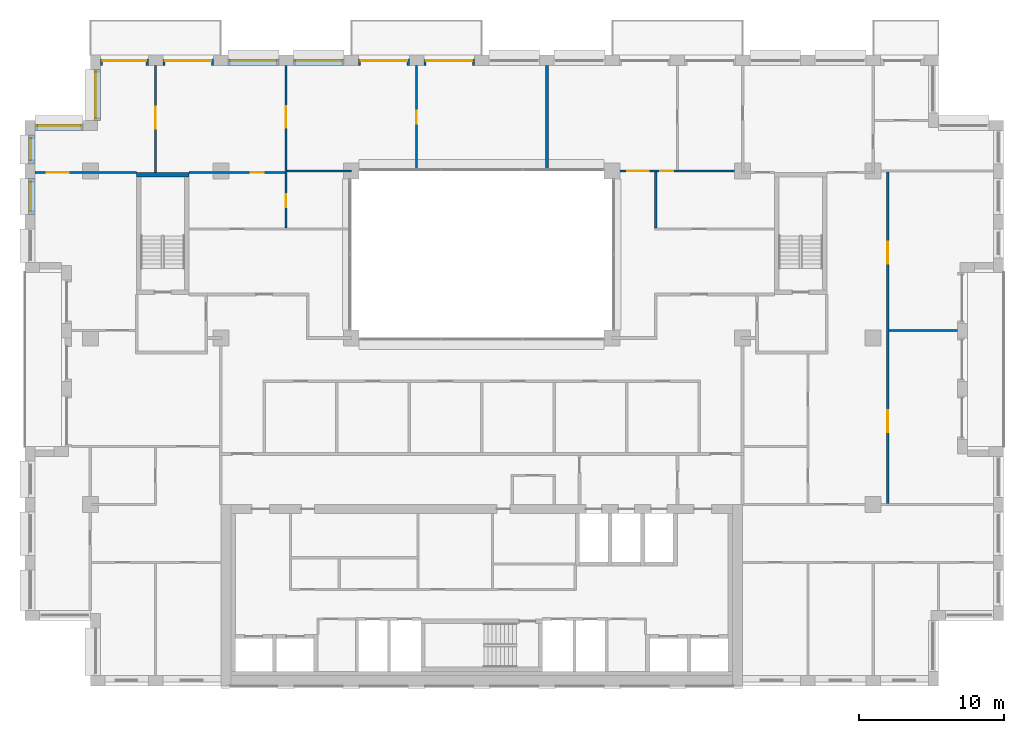
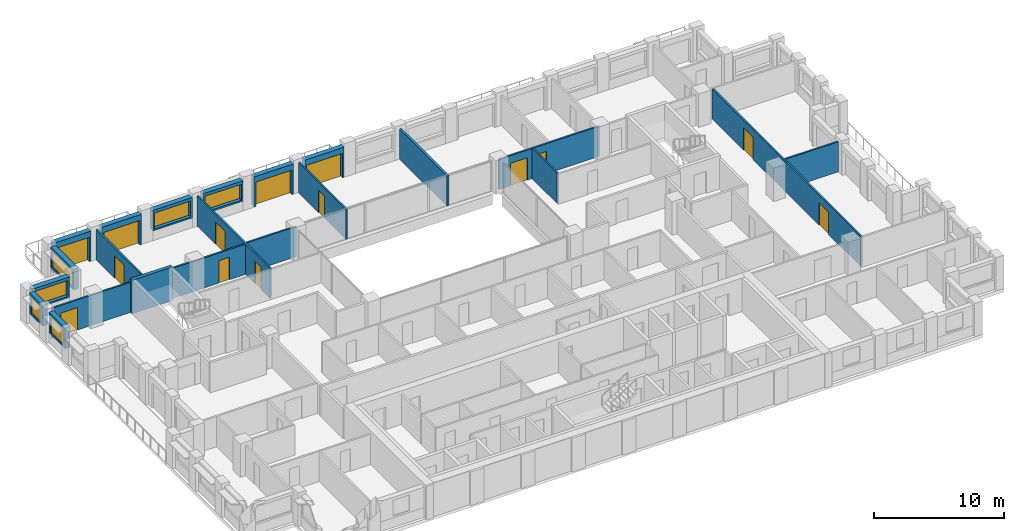
# One storey, part 12 of 15: 22 walls, 14 doors, 6 windows, 20 openings.
"""IFC4 building model written with IfcOpenShell, lengths in metres."""

from ifc_helpers import new_model, si_unit, direction, frame, frame_2d, origin, place, context, subcontext, project, spatial, rectangle, extrude, material, layer, layer_set, type_object, element, fill, save


model = new_model("IFC4")

# Units and contexts
model_context = context("Model", 3, precision=1e-05, world=origin(), true_north=direction((0.0, 1.0)))
body_context = subcontext(model_context, "Body", "Model", "MODEL_VIEW")
ifc_project = project(units=[si_unit("LENGTHUNIT", "METRE"), si_unit("AREAUNIT", "SQUARE_METRE"), si_unit("VOLUMEUNIT", "CUBIC_METRE"), si_unit("PLANEANGLEUNIT", "RADIAN"), si_unit("MASSUNIT", "GRAM", prefix="KILO")], contexts=[model_context])

# Site, building, storey
site_placement = place(None, origin())
site = spatial("IfcSite", under=ifc_project, at=site_placement, CompositionType="ELEMENT")
building_placement = place(site_placement, origin())
building = spatial("IfcBuilding", under=site, at=building_placement, Name="Brigalow Station Residences", CompositionType="ELEMENT")
storey_placement = place(building_placement, frame((0.0, 0.0, 150.75)))
storey = spatial("IfcBuildingStorey", under=building, at=storey_placement, Name="L43", CompositionType="ELEMENT", Elevation=150.75)

# Wall, opening, door
ifc_material_1 = material(Name="Clay brick masonry", Category="masonry")
ifc_layer_1 = layer(ifc_material_1, 0.449951171875)
ifc_layer_set_1 = layer_set([ifc_layer_1], Name="BRICK INFILL WALL 450")
wall_type_1 = type_object("IfcWallType", Name="BRICK INFILL WALL 450", PredefinedType="SOLIDWALL", material=ifc_layer_set_1)
wall_1_placement = place(storey_placement, frame((35.5, 43.02490234375, 0.0), z_axis=(0.0, 0.0, 1.0), x_axis=(-1.0, 0.0, 0.0)))
wall_1 = element("IfcWall", 1, at=wall_1_placement, inside=storey, type_object=wall_type_1, Name="L43/ewall/W-L43-29", PredefinedType="SOLIDWALL", context=body_context, shape_type="SweptSolid", body=[
    extrude(rectangle(XDim=3.5, YDim=0.449951171875, at=frame_2d((1.75, 0.0))), origin(), (0.0, 0.0, 1.0), 2.830078125),
])
opening_1_placement = place(wall_1_placement, frame((0.14990234375, 0.0, 0.0)))
opening_1 = element("IfcOpeningElement", 2, at=opening_1_placement, cuts=wall_1, Name="Opening D-B3200", PredefinedType="OPENING", context=body_context, shape_type="SweptSolid", body=[
    extrude(rectangle(XDim=3.199951171875, YDim=2.300048828125, at=frame_2d((1.60009765625, 1.14990234375))), frame((0.0, 0.23486328125, 0.0), z_axis=(0.0, -1.0, 0.0), x_axis=(1.0, 0.0, 0.0)), (0.0, 0.0, 1.0), 0.469970703125),
])
ifc_material_2 = material(Name="Anodised aluminium frame with double glazing", Category="aluminium")
door_type_1 = type_object("IfcDoorType", Name="BALCONY SLIDING DOOR 3200x2300", OperationType="SLIDING_TO_LEFT", PredefinedType="DOOR", material=ifc_material_2)
door_1_placement = place(opening_1_placement, origin())
door_1 = element("IfcDoor", 3, at=door_1_placement, inside=storey, type_object=door_type_1, Name="L43/balcony-door/W-L43-29", OperationType="SLIDING_TO_LEFT", OverallHeight=2.300048828125, OverallWidth=3.199951171875, PredefinedType="DOOR", context=body_context, shape_type="SweptSolid", body=[
    extrude(rectangle(XDim=3.199951171875, YDim=2.300048828125, at=frame_2d((1.60009765625, 1.14990234375))), frame((0.0, -0.06982421875, 0.0), z_axis=(0.0, -1.0, 0.0), x_axis=(1.0, 0.0, 0.0)), (0.0, 0.0, 1.0), 0.050048828125),
])
fill(opening_1, door_1)

wall_2_placement = place(storey_placement, frame((31.0, 43.02490234375, 0.0), z_axis=(0.0, 0.0, 1.0), x_axis=(-1.0, 0.0, 0.0)))
wall_2 = element("IfcWall", 4, at=wall_2_placement, inside=storey, type_object=wall_type_1, Name="L43/ewall/W-L43-30", PredefinedType="SOLIDWALL", context=body_context, shape_type="SweptSolid", body=[
    extrude(rectangle(XDim=3.5, YDim=0.449951171875, at=frame_2d((1.75, 0.0))), origin(), (0.0, 0.0, 1.0), 2.830078125),
])
opening_2_placement = place(wall_2_placement, frame((0.14990234375, 0.0, 0.0)))
opening_2 = element("IfcOpeningElement", 5, at=opening_2_placement, cuts=wall_2, Name="Opening D-B3200", PredefinedType="OPENING", context=body_context, shape_type="SweptSolid", body=[
    extrude(rectangle(XDim=3.199951171875, YDim=2.300048828125, at=frame_2d((1.60009765625, 1.14990234375))), frame((0.0, 0.23486328125, 0.0), z_axis=(0.0, -1.0, 0.0), x_axis=(1.0, 0.0, 0.0)), (0.0, 0.0, 1.0), 0.469970703125),
])
door_2_placement = place(opening_2_placement, origin())
door_2 = element("IfcDoor", 6, at=door_2_placement, inside=storey, type_object=door_type_1, Name="L43/balcony-door/W-L43-30", OperationType="SLIDING_TO_LEFT", OverallHeight=2.300048828125, OverallWidth=3.199951171875, PredefinedType="DOOR", context=body_context, shape_type="SweptSolid", body=[
    extrude(rectangle(XDim=3.199951171875, YDim=2.300048828125, at=frame_2d((1.60009765625, 1.14990234375))), frame((0.0, -0.06982421875, 0.0), z_axis=(0.0, -1.0, 0.0), x_axis=(1.0, 0.0, 0.0)), (0.0, 0.0, 1.0), 0.050048828125),
])
fill(opening_2, door_2)

# Wall, opening, window
wall_3_placement = place(storey_placement, frame((26.5, 43.02490234375, 0.89990234375), z_axis=(0.0, 0.0, 1.0), x_axis=(-1.0, 0.0, 0.0)))
wall_3 = element("IfcWall", 7, at=wall_3_placement, inside=storey, type_object=wall_type_1, Name="L43/ewall/W-L43-31", PredefinedType="SOLIDWALL", context=body_context, shape_type="SweptSolid", body=[
    extrude(rectangle(XDim=3.5, YDim=0.449951171875, at=frame_2d((1.75, 0.0))), origin(), (0.0, 0.0, 1.0), 1.93017578125),
])
opening_3_placement = place(wall_3_placement, frame((0.14990234375, 0.0, 0.14990234375)))
opening_3 = element("IfcOpeningElement", 8, at=opening_3_placement, cuts=wall_3, Name="Opening WT-9", PredefinedType="OPENING", context=body_context, shape_type="SweptSolid", body=[
    extrude(rectangle(XDim=3.199951171875, YDim=1.5, at=frame_2d((1.60009765625, 0.75))), frame((0.0, 0.23486328125, 0.0), z_axis=(0.0, -1.0, 0.0), x_axis=(1.0, 0.0, 0.0)), (0.0, 0.0, 1.0), 0.469970703125),
])
ifc_material_3 = material(Name="Anodised aluminium frame with double glazing", Category="aluminium")
window_type_1 = type_object("IfcWindowType", Name="WINDOW 3200x1500", PartitioningType="SINGLE_PANEL", PredefinedType="WINDOW", material=ifc_material_3)
window_1_placement = place(opening_3_placement, origin())
window_1 = element("IfcWindow", 9, at=window_1_placement, inside=storey, type_object=window_type_1, Name="L43/window/W-L43-31", OverallHeight=1.5, OverallWidth=3.199951171875, PartitioningType="SINGLE_PANEL", PredefinedType="WINDOW", context=body_context, shape_type="SweptSolid", body=[
    extrude(rectangle(XDim=3.199951171875, YDim=1.5, at=frame_2d((1.60009765625, 0.75))), frame((0.0, -0.06494140625, 0.0), z_axis=(0.0, -1.0, 0.0), x_axis=(1.0, 0.0, 0.0)), (0.0, 0.0, 1.0), 0.06005859375),
])
fill(opening_3, window_1)

wall_4_placement = place(storey_placement, frame((22.0, 43.02490234375, 0.89990234375), z_axis=(0.0, 0.0, 1.0), x_axis=(-1.0, 0.0, 0.0)))
wall_4 = element("IfcWall", 10, at=wall_4_placement, inside=storey, type_object=wall_type_1, Name="L43/ewall/W-L43-32", PredefinedType="SOLIDWALL", context=body_context, shape_type="SweptSolid", body=[
    extrude(rectangle(XDim=3.5, YDim=0.449951171875, at=frame_2d((1.75, 0.0))), origin(), (0.0, 0.0, 1.0), 1.93017578125),
])
opening_4_placement = place(wall_4_placement, frame((0.14990234375, 0.0, 0.14990234375)))
opening_4 = element("IfcOpeningElement", 11, at=opening_4_placement, cuts=wall_4, Name="Opening WT-9", PredefinedType="OPENING", context=body_context, shape_type="SweptSolid", body=[
    extrude(rectangle(XDim=3.199951171875, YDim=1.5, at=frame_2d((1.60009765625, 0.75))), frame((0.0, 0.23486328125, 0.0), z_axis=(0.0, -1.0, 0.0), x_axis=(1.0, 0.0, 0.0)), (0.0, 0.0, 1.0), 0.469970703125),
])
window_2_placement = place(opening_4_placement, origin())
window_2 = element("IfcWindow", 12, at=window_2_placement, inside=storey, type_object=window_type_1, Name="L43/window/W-L43-32", OverallHeight=1.5, OverallWidth=3.199951171875, PartitioningType="SINGLE_PANEL", PredefinedType="WINDOW", context=body_context, shape_type="SweptSolid", body=[
    extrude(rectangle(XDim=3.199951171875, YDim=1.5, at=frame_2d((1.60009765625, 0.75))), frame((0.0, -0.06494140625, 0.0), z_axis=(0.0, -1.0, 0.0), x_axis=(1.0, 0.0, 0.0)), (0.0, 0.0, 1.0), 0.06005859375),
])
fill(opening_4, window_2)

# Wall, opening, door
wall_5_placement = place(storey_placement, frame((17.5, 43.02490234375, 0.0), z_axis=(0.0, 0.0, 1.0), x_axis=(-1.0, 0.0, 0.0)))
wall_5 = element("IfcWall", 13, at=wall_5_placement, inside=storey, type_object=wall_type_1, Name="L43/ewall/W-L43-33", PredefinedType="SOLIDWALL", context=body_context, shape_type="SweptSolid", body=[
    extrude(rectangle(XDim=3.5, YDim=0.449951171875, at=frame_2d((1.75, 0.0))), origin(), (0.0, 0.0, 1.0), 2.830078125),
])
opening_5_placement = place(wall_5_placement, frame((0.14990234375, 0.0, 0.0)))
opening_5 = element("IfcOpeningElement", 14, at=opening_5_placement, cuts=wall_5, Name="Opening D-B3200", PredefinedType="OPENING", context=body_context, shape_type="SweptSolid", body=[
    extrude(rectangle(XDim=3.199951171875, YDim=2.300048828125, at=frame_2d((1.60009765625, 1.14990234375))), frame((0.0, 0.23486328125, 0.0), z_axis=(0.0, -1.0, 0.0), x_axis=(1.0, 0.0, 0.0)), (0.0, 0.0, 1.0), 0.469970703125),
])
door_3_placement = place(opening_5_placement, origin())
door_3 = element("IfcDoor", 15, at=door_3_placement, inside=storey, type_object=door_type_1, Name="L43/balcony-door/W-L43-33", OperationType="SLIDING_TO_LEFT", OverallHeight=2.300048828125, OverallWidth=3.199951171875, PredefinedType="DOOR", context=body_context, shape_type="SweptSolid", body=[
    extrude(rectangle(XDim=3.199951171875, YDim=2.300048828125, at=frame_2d((1.60009765625, 1.14990234375))), frame((0.0, -0.06982421875, 0.0), z_axis=(0.0, -1.0, 0.0), x_axis=(1.0, 0.0, 0.0)), (0.0, 0.0, 1.0), 0.050048828125),
])
fill(opening_5, door_3)

wall_6_placement = place(storey_placement, frame((13.0, 43.02490234375, 0.0), z_axis=(0.0, 0.0, 1.0), x_axis=(-1.0, 0.0, 0.0)))
wall_6 = element("IfcWall", 16, at=wall_6_placement, inside=storey, type_object=wall_type_1, Name="L43/ewall/W-L43-34", PredefinedType="SOLIDWALL", context=body_context, shape_type="SweptSolid", body=[
    extrude(rectangle(XDim=3.300048828125, YDim=0.449951171875, at=frame_2d((1.64990234375, 0.0))), origin(), (0.0, 0.0, 1.0), 2.830078125),
])
opening_6_placement = place(wall_6_placement, frame((0.14990234375, 0.0, 0.0)))
opening_6 = element("IfcOpeningElement", 17, at=opening_6_placement, cuts=wall_6, Name="Opening D-B3000", PredefinedType="OPENING", context=body_context, shape_type="SweptSolid", body=[
    extrude(rectangle(XDim=3.0, YDim=2.300048828125, at=frame_2d((1.5, 1.14990234375))), frame((0.0, 0.23486328125, 0.0), z_axis=(0.0, -1.0, 0.0), x_axis=(1.0, 0.0, 0.0)), (0.0, 0.0, 1.0), 0.469970703125),
])
ifc_material_4 = material(Name="Anodised aluminium frame with double glazing", Category="aluminium")
door_type_2 = type_object("IfcDoorType", Name="BALCONY SLIDING DOOR 3000x2300", OperationType="SLIDING_TO_LEFT", PredefinedType="DOOR", material=ifc_material_4)
door_4_placement = place(opening_6_placement, origin())
door_4 = element("IfcDoor", 18, at=door_4_placement, inside=storey, type_object=door_type_2, Name="L43/balcony-door/W-L43-34", OperationType="SLIDING_TO_LEFT", OverallHeight=2.300048828125, OverallWidth=3.0, PredefinedType="DOOR", context=body_context, shape_type="SweptSolid", body=[
    extrude(rectangle(XDim=3.0, YDim=2.300048828125, at=frame_2d((1.5, 1.14990234375))), frame((0.0, -0.06982421875, 0.0), z_axis=(0.0, -1.0, 0.0), x_axis=(1.0, 0.0, 0.0)), (0.0, 0.0, 1.0), 0.050048828125),
])
fill(opening_6, door_4)

# Wall, opening, window
wall_7_placement = place(storey_placement, frame((9.47509765625, 42.5, 0.89990234375), z_axis=(0.0, 0.0, 1.0), x_axis=(0.0, -1.0, 0.0)))
wall_7 = element("IfcWall", 19, at=wall_7_placement, inside=storey, type_object=wall_type_1, Name="L43/ewall/W-L43-35", PredefinedType="SOLIDWALL", context=body_context, shape_type="SweptSolid", body=[
    extrude(rectangle(XDim=3.5, YDim=0.449951171875, at=frame_2d((1.75, 0.0))), origin(), (0.0, 0.0, 1.0), 1.93017578125),
])
opening_7_placement = place(wall_7_placement, frame((0.14990234375, 0.0, 0.14990234375)))
opening_7 = element("IfcOpeningElement", 20, at=opening_7_placement, cuts=wall_7, Name="Opening WT-9", PredefinedType="OPENING", context=body_context, shape_type="SweptSolid", body=[
    extrude(rectangle(XDim=3.199951171875, YDim=1.5, at=frame_2d((1.60009765625, 0.75))), frame((0.0, 0.23486328125, 0.0), z_axis=(0.0, -1.0, 0.0), x_axis=(1.0, 0.0, 0.0)), (0.0, 0.0, 1.0), 0.469970703125),
])
window_3_placement = place(opening_7_placement, origin())
window_3 = element("IfcWindow", 21, at=window_3_placement, inside=storey, type_object=window_type_1, Name="L43/window/W-L43-35", OverallHeight=1.5, OverallWidth=3.199951171875, PartitioningType="SINGLE_PANEL", PredefinedType="WINDOW", context=body_context, shape_type="SweptSolid", body=[
    extrude(rectangle(XDim=3.199951171875, YDim=1.5, at=frame_2d((1.60009765625, 0.75))), frame((0.0, -0.06494140625, 0.0), z_axis=(0.0, -1.0, 0.0), x_axis=(1.0, 0.0, 0.0)), (0.0, 0.0, 1.0), 0.06005859375),
])
fill(opening_7, window_3)

wall_8_placement = place(storey_placement, frame((8.5, 38.52490234375, 0.89990234375), z_axis=(0.0, 0.0, 1.0), x_axis=(-1.0, 0.0, 0.0)))
wall_8 = element("IfcWall", 22, at=wall_8_placement, inside=storey, type_object=wall_type_1, Name="L43/ewall/W-L43-36", PredefinedType="SOLIDWALL", context=body_context, shape_type="SweptSolid", body=[
    extrude(rectangle(XDim=3.300048828125, YDim=0.449951171875, at=frame_2d((1.64990234375, 0.0))), origin(), (0.0, 0.0, 1.0), 1.93017578125),
])
opening_8_placement = place(wall_8_placement, frame((0.14990234375, 0.0, 0.14990234375)))
opening_8 = element("IfcOpeningElement", 23, at=opening_8_placement, cuts=wall_8, Name="Opening WT-2", PredefinedType="OPENING", context=body_context, shape_type="SweptSolid", body=[
    extrude(rectangle(XDim=3.0, YDim=1.5, at=frame_2d((1.5, 0.75))), frame((0.0, 0.23486328125, 0.0), z_axis=(0.0, -1.0, 0.0), x_axis=(1.0, 0.0, 0.0)), (0.0, 0.0, 1.0), 0.469970703125),
])
ifc_material_5 = material(Name="Anodised aluminium frame with double glazing", Category="aluminium")
window_type_2 = type_object("IfcWindowType", Name="WINDOW 3000x1500", PartitioningType="SINGLE_PANEL", PredefinedType="WINDOW", material=ifc_material_5)
window_4_placement = place(opening_8_placement, origin())
window_4 = element("IfcWindow", 24, at=window_4_placement, inside=storey, type_object=window_type_2, Name="L43/window/W-L43-36", OverallHeight=1.5, OverallWidth=3.0, PartitioningType="SINGLE_PANEL", PredefinedType="WINDOW", context=body_context, shape_type="SweptSolid", body=[
    extrude(rectangle(XDim=3.0, YDim=1.5, at=frame_2d((1.5, 0.75))), frame((0.0, -0.06494140625, 0.0), z_axis=(0.0, -1.0, 0.0), x_axis=(1.0, 0.0, 0.0)), (0.0, 0.0, 1.0), 0.06005859375),
])
fill(opening_8, window_4)

wall_9_placement = place(storey_placement, frame((4.97509765625, 38.0, 0.89990234375), z_axis=(0.0, 0.0, 1.0), x_axis=(0.0, -1.0, 0.0)))
wall_9 = element("IfcWall", 25, at=wall_9_placement, inside=storey, type_object=wall_type_1, Name="L43/ewall/W-L43-37", PredefinedType="SOLIDWALL", context=body_context, shape_type="SweptSolid", body=[
    extrude(rectangle(XDim=2.0, YDim=0.449951171875, at=frame_2d((1.0, 0.0))), origin(), (0.0, 0.0, 1.0), 1.93017578125),
])
opening_9_placement = place(wall_9_placement, frame((0.25, 0.0, 0.14990234375)))
opening_9 = element("IfcOpeningElement", 26, at=opening_9_placement, cuts=wall_9, Name="Opening WT-1", PredefinedType="OPENING", context=body_context, shape_type="SweptSolid", body=[
    extrude(rectangle(XDim=1.5, YDim=1.5, at=frame_2d((0.75, 0.75))), frame((0.0, 0.23486328125, 0.0), z_axis=(0.0, -1.0, 0.0), x_axis=(1.0, 0.0, 0.0)), (0.0, 0.0, 1.0), 0.469970703125),
])
ifc_material_6 = material(Name="Anodised aluminium frame with double glazing", Category="aluminium")
window_type_3 = type_object("IfcWindowType", Name="WINDOW 1500x1500", PartitioningType="SINGLE_PANEL", PredefinedType="WINDOW", material=ifc_material_6)
window_5_placement = place(opening_9_placement, origin())
window_5 = element("IfcWindow", 27, at=window_5_placement, inside=storey, type_object=window_type_3, Name="L43/window/W-L43-37", OverallHeight=1.5, OverallWidth=1.5, PartitioningType="SINGLE_PANEL", PredefinedType="WINDOW", context=body_context, shape_type="SweptSolid", body=[
    extrude(rectangle(XDim=1.5, YDim=1.5, at=frame_2d((0.75, 0.75))), frame((0.0, -0.06494140625, 0.0), z_axis=(0.0, -1.0, 0.0), x_axis=(1.0, 0.0, 0.0)), (0.0, 0.0, 1.0), 0.06005859375),
])
fill(opening_9, window_5)

wall_10_placement = place(storey_placement, frame((4.97509765625, 35.0, 0.89990234375), z_axis=(0.0, 0.0, 1.0), x_axis=(0.0, -1.0, 0.0)))
wall_10 = element("IfcWall", 28, at=wall_10_placement, inside=storey, type_object=wall_type_1, Name="L43/ewall/W-L43-38", PredefinedType="SOLIDWALL", context=body_context, shape_type="SweptSolid", body=[
    extrude(rectangle(XDim=2.5, YDim=0.449951171875, at=frame_2d((1.25, 0.0))), origin(), (0.0, 0.0, 1.0), 1.93017578125),
])
opening_10_placement = place(wall_10_placement, frame((0.25, 0.0, 0.14990234375)))
opening_10 = element("IfcOpeningElement", 29, at=opening_10_placement, cuts=wall_10, Name="Opening WT-7", PredefinedType="OPENING", context=body_context, shape_type="SweptSolid", body=[
    extrude(rectangle(XDim=2.0, YDim=1.5, at=frame_2d((1.0, 0.75))), frame((0.0, 0.23486328125, 0.0), z_axis=(0.0, -1.0, 0.0), x_axis=(1.0, 0.0, 0.0)), (0.0, 0.0, 1.0), 0.469970703125),
])
ifc_material_7 = material(Name="Anodised aluminium frame with double glazing", Category="aluminium")
window_type_4 = type_object("IfcWindowType", Name="WINDOW 2000x1500", PartitioningType="SINGLE_PANEL", PredefinedType="WINDOW", material=ifc_material_7)
window_6_placement = place(opening_10_placement, origin())
window_6 = element("IfcWindow", 30, at=window_6_placement, inside=storey, type_object=window_type_4, Name="L43/window/W-L43-38", OverallHeight=1.5, OverallWidth=2.0, PartitioningType="SINGLE_PANEL", PredefinedType="WINDOW", context=body_context, shape_type="SweptSolid", body=[
    extrude(rectangle(XDim=2.0, YDim=1.5, at=frame_2d((1.0, 0.75))), frame((0.0, -0.06494140625, 0.0), z_axis=(0.0, -1.0, 0.0), x_axis=(1.0, 0.0, 0.0)), (0.0, 0.0, 1.0), 0.06005859375),
])
fill(opening_10, window_6)

# Wall
ifc_material_8 = material(Name="Concrete C65", Category="concrete")
ifc_layer_2 = layer(ifc_material_8, 0.300048828125)
ifc_layer_set_2 = layer_set([ifc_layer_2], Name="CORE SHEAR WALL 300 C65")
wall_type_2 = type_object("IfcWallType", Name="CORE SHEAR WALL 300 C65", PredefinedType="SHEAR", material=ifc_layer_set_2)
wall_11_placement = place(storey_placement, frame((12.199951171875, 35.25, 0.0), z_axis=(0.0, 0.0, 1.0), x_axis=(1.0, 0.0, 0.0)))
element("IfcWall", 31, at=wall_11_placement, inside=storey, type_object=wall_type_2, Name="CORE WALL ST-S1-N L43", PredefinedType="SHEAR", context=body_context, shape_type="SweptSolid", body=[
    extrude(rectangle(XDim=3.60009765625, YDim=0.300048828125, at=frame_2d((1.800048828125, 0.0))), origin(), (0.0, 0.0, 1.0), 3.14990234375),
])

# Wall, opening, door
ifc_material_9 = material(Name="Plasterboard on steel stud partition", Category="steel")
ifc_layer_3 = layer(ifc_material_9, 0.14990234375)
ifc_layer_set_3 = layer_set([ifc_layer_3], Name="FLAT PARTITION 150")
wall_type_3 = type_object("IfcWallType", Name="FLAT PARTITION 150", PredefinedType="PARTITIONING", material=ifc_layer_set_3)
wall_12_placement = place(storey_placement, frame((5.199951171875, 35.39990234375, 0.0), z_axis=(0.0, 0.0, 1.0), x_axis=(1.0, 0.0, 0.0)))
wall_12 = element("IfcWall", 32, at=wall_12_placement, inside=storey, type_object=wall_type_3, Name="PW-3B10", PredefinedType="PARTITIONING", context=body_context, shape_type="SweptSolid", body=[
    extrude(rectangle(XDim=7.0, YDim=0.14990234375, at=frame_2d((3.5, 0.0))), origin(), (0.0, 0.0, 1.0), 2.830078125),
])
opening_11_placement = place(wall_12_placement, frame((0.800048828125, 0.0, 0.0)))
opening_11 = element("IfcOpeningElement", 33, at=opening_11_placement, cuts=wall_12, Name="Opening D-3B10", PredefinedType="OPENING", context=body_context, shape_type="SweptSolid", body=[
    extrude(rectangle(XDim=1.5, YDim=2.10009765625, at=frame_2d((0.75, 1.050048828125))), frame((0.0, 0.0849609375, 0.0), z_axis=(0.0, -1.0, 0.0), x_axis=(1.0, 0.0, 0.0)), (0.0, 0.0, 1.0), 0.169921875),
])
ifc_material_10 = material(Name="Solid-core timber door leaf", Category="wood")
door_type_3 = type_object("IfcDoorType", Name="INTERNAL DOUBLE DOOR 1500 x 2100", OperationType="DOUBLE_DOOR_SINGLE_SWING", PredefinedType="DOOR", material=ifc_material_10)
door_5_placement = place(opening_11_placement, origin())
door_5 = element("IfcDoor", 34, at=door_5_placement, inside=storey, type_object=door_type_3, Name="D-3B10", OperationType="DOUBLE_DOOR_SINGLE_SWING", OverallHeight=2.10009765625, OverallWidth=1.5, PredefinedType="DOOR", context=body_context, shape_type="SweptSolid", body=[
    extrude(rectangle(XDim=1.5, YDim=2.10009765625, at=frame_2d((0.75, 1.050048828125))), frame((0.0, 0.02490234375, 0.0), z_axis=(0.0, -1.0, 0.0), x_axis=(1.0, 0.0, 0.0)), (0.0, 0.0, 1.0), 0.050048828125),
])
fill(opening_11, door_5)

wall_13_placement = place(storey_placement, frame((15.800048828125, 35.39990234375, 0.0), z_axis=(0.0, 0.0, 1.0), x_axis=(1.0, 0.0, 0.0)))
wall_13 = element("IfcWall", 35, at=wall_13_placement, inside=storey, type_object=wall_type_3, Name="PW-3B11", PredefinedType="PARTITIONING", context=body_context, shape_type="SweptSolid", body=[
    extrude(rectangle(XDim=6.625, YDim=0.14990234375, at=frame_2d((3.3125, 0.0))), origin(), (0.0, 0.0, 1.0), 2.830078125),
])
opening_12_placement = place(wall_13_placement, frame((4.27490234375, 0.0, 0.0)))
opening_12 = element("IfcOpeningElement", 36, at=opening_12_placement, cuts=wall_13, Name="Opening D-3B06", PredefinedType="OPENING", context=body_context, shape_type="SweptSolid", body=[
    extrude(rectangle(XDim=0.89990234375, YDim=2.10009765625, at=frame_2d((0.449951171875, 1.050048828125))), frame((0.0, 0.0849609375, 0.0), z_axis=(0.0, -1.0, 0.0), x_axis=(1.0, 0.0, 0.0)), (0.0, 0.0, 1.0), 0.169921875),
])
ifc_material_11 = material(Name="Solid-core timber door leaf", Category="wood")
door_type_4 = type_object("IfcDoorType", Name="INTERNAL DOOR 900 x 2100", OperationType="SINGLE_SWING_LEFT", PredefinedType="DOOR", material=ifc_material_11)
door_6_placement = place(opening_12_placement, frame((0.89990234375, 0.0, 0.0), z_axis=(0.0, 0.0, 1.0), x_axis=(-1.0, 0.0, 0.0)))
door_6 = element("IfcDoor", 37, at=door_6_placement, inside=storey, type_object=door_type_4, Name="D-3B06", OperationType="SINGLE_SWING_LEFT", OverallHeight=2.10009765625, OverallWidth=0.89990234375, PredefinedType="DOOR", context=body_context, shape_type="SweptSolid", body=[
    extrude(rectangle(XDim=0.89990234375, YDim=2.10009765625, at=frame_2d((0.449951171875, 1.050048828125))), frame((0.0, 0.02490234375, 0.0), z_axis=(0.0, -1.0, 0.0), x_axis=(1.0, 0.0, 0.0)), (0.0, 0.0, 1.0), 0.050048828125),
])
fill(opening_12, door_6)

# Wall
wall_14_placement = place(storey_placement, frame((22.574951171875, 35.5, 0.0), z_axis=(0.0, 0.0, 1.0), x_axis=(1.0, 0.0, 0.0)))
element("IfcWall", 38, at=wall_14_placement, inside=storey, type_object=wall_type_3, Name="PW-3B14", PredefinedType="PARTITIONING", context=body_context, shape_type="SweptSolid", body=[
    extrude(rectangle(XDim=4.425048828125, YDim=0.14990234375, at=frame_2d((2.21240234375, 0.0))), origin(), (0.0, 0.0, 1.0), 2.830078125),
])

# Wall, openings, doors
wall_15_placement = place(storey_placement, frame((45.0, 35.5, 0.0), z_axis=(0.0, 0.0, 1.0), x_axis=(1.0, 0.0, 0.0)))
wall_15 = element("IfcWall", 39, at=wall_15_placement, inside=storey, type_object=wall_type_3, Name="PW-3B15", PredefinedType="PARTITIONING", context=body_context, shape_type="SweptSolid", body=[
    extrude(rectangle(XDim=8.925048828125, YDim=0.14990234375, at=frame_2d((4.46240234375, 0.0))), origin(), (0.0, 0.0, 1.0), 2.830078125),
])
opening_13_placement = place(wall_15_placement, frame((3.300048828125, 0.0, 0.0)))
opening_13 = element("IfcOpeningElement", 40, at=opening_13_placement, cuts=wall_15, Name="Opening D-3B19", PredefinedType="OPENING", context=body_context, shape_type="SweptSolid", body=[
    extrude(rectangle(XDim=0.89990234375, YDim=2.10009765625, at=frame_2d((0.449951171875, 1.050048828125))), frame((0.0, 0.0849609375, 0.0), z_axis=(0.0, -1.0, 0.0), x_axis=(1.0, 0.0, 0.0)), (0.0, 0.0, 1.0), 0.169921875),
])
opening_14_placement = place(wall_15_placement, frame((1.02490234375, 0.0, 0.0)))
opening_14 = element("IfcOpeningElement", 41, at=opening_14_placement, cuts=wall_15, Name="Opening D-3B21", PredefinedType="OPENING", context=body_context, shape_type="SweptSolid", body=[
    extrude(rectangle(XDim=1.5, YDim=2.10009765625, at=frame_2d((0.75, 1.050048828125))), frame((0.0, 0.0849609375, 0.0), z_axis=(0.0, -1.0, 0.0), x_axis=(1.0, 0.0, 0.0)), (0.0, 0.0, 1.0), 0.169921875),
])
door_7_placement = place(opening_13_placement, frame((0.89990234375, 0.0, 0.0), z_axis=(0.0, 0.0, 1.0), x_axis=(-1.0, 0.0, 0.0)))
door_7 = element("IfcDoor", 42, at=door_7_placement, inside=storey, type_object=door_type_4, Name="D-3B19", OperationType="SINGLE_SWING_RIGHT", OverallHeight=2.10009765625, OverallWidth=0.89990234375, PredefinedType="DOOR", context=body_context, shape_type="SweptSolid", body=[
    extrude(rectangle(XDim=0.89990234375, YDim=2.10009765625, at=frame_2d((0.449951171875, 1.050048828125))), frame((0.0, 0.02490234375, 0.0), z_axis=(0.0, -1.0, 0.0), x_axis=(1.0, 0.0, 0.0)), (0.0, 0.0, 1.0), 0.050048828125),
])
fill(opening_13, door_7)
door_8_placement = place(opening_14_placement, origin())
door_8 = element("IfcDoor", 43, at=door_8_placement, inside=storey, type_object=door_type_3, Name="D-3B21", OperationType="DOUBLE_DOOR_SINGLE_SWING", OverallHeight=2.10009765625, OverallWidth=1.5, PredefinedType="DOOR", context=body_context, shape_type="SweptSolid", body=[
    extrude(rectangle(XDim=1.5, YDim=2.10009765625, at=frame_2d((0.75, 1.050048828125))), frame((0.0, 0.02490234375, 0.0), z_axis=(0.0, -1.0, 0.0), x_axis=(1.0, 0.0, 0.0)), (0.0, 0.0, 1.0), 0.050048828125),
])
fill(opening_14, door_8)

# Walls
wall_16_placement = place(storey_placement, frame((64.074951171875, 24.5, 0.0), z_axis=(0.0, 0.0, 1.0), x_axis=(1.0, 0.0, 0.0)))
element("IfcWall", 44, at=wall_16_placement, inside=storey, type_object=wall_type_3, Name="PW-3B18", PredefinedType="PARTITIONING", context=body_context, shape_type="SweptSolid", body=[
    extrude(rectangle(XDim=4.72509765625, YDim=0.14990234375, at=frame_2d((2.362548828125, 0.0))), origin(), (0.0, 0.0, 1.0), 2.830078125),
])
wall_17_placement = place(storey_placement, frame((48.0, 31.574951171875, 0.0), z_axis=(0.0, 0.0, 1.0), x_axis=(0.0, 1.0, 0.0)))
element("IfcWall", 45, at=wall_17_placement, inside=storey, type_object=wall_type_3, Name="PW-3B33", PredefinedType="PARTITIONING", context=body_context, shape_type="SweptSolid", body=[
    extrude(rectangle(XDim=3.85009765625, YDim=0.14990234375, at=frame_2d((1.925048828125, 0.0))), origin(), (0.0, 0.0, 1.0), 2.830078125),
])

# Wall, openings, doors
wall_18_placement = place(storey_placement, frame((22.5, 31.574951171875, 0.0), z_axis=(0.0, 0.0, 1.0), x_axis=(0.0, 1.0, 0.0)))
wall_18 = element("IfcWall", 46, at=wall_18_placement, inside=storey, type_object=wall_type_3, Name="PW-3B35", PredefinedType="PARTITIONING", context=body_context, shape_type="SweptSolid", body=[
    extrude(rectangle(XDim=11.22509765625, YDim=0.14990234375, at=frame_2d((5.612548828125, 0.0))), origin(), (0.0, 0.0, 1.0), 2.830078125),
])
opening_15_placement = place(wall_18_placement, frame((1.425048828125, 0.0, 0.0)))
opening_15 = element("IfcOpeningElement", 47, at=opening_15_placement, cuts=wall_18, Name="Opening D-3B05", PredefinedType="OPENING", context=body_context, shape_type="SweptSolid", body=[
    extrude(rectangle(XDim=0.89990234375, YDim=2.10009765625, at=frame_2d((0.449951171875, 1.050048828125))), frame((0.0, 0.0849609375, 0.0), z_axis=(0.0, -1.0, 0.0), x_axis=(1.0, 0.0, 0.0)), (0.0, 0.0, 1.0), 0.169921875),
])
opening_16_placement = place(wall_18_placement, frame((6.89990234375, 0.0, 0.0)))
opening_16 = element("IfcOpeningElement", 48, at=opening_16_placement, cuts=wall_18, Name="Opening D-3B08", PredefinedType="OPENING", context=body_context, shape_type="SweptSolid", body=[
    extrude(rectangle(XDim=1.5, YDim=2.10009765625, at=frame_2d((0.75, 1.050048828125))), frame((0.0, 0.0849609375, 0.0), z_axis=(0.0, -1.0, 0.0), x_axis=(1.0, 0.0, 0.0)), (0.0, 0.0, 1.0), 0.169921875),
])
door_9_placement = place(opening_15_placement, frame((0.89990234375, 0.0, 0.0), z_axis=(0.0, 0.0, 1.0), x_axis=(-1.0, 0.0, 0.0)))
door_9 = element("IfcDoor", 49, at=door_9_placement, inside=storey, type_object=door_type_4, Name="D-3B05", OperationType="SINGLE_SWING_RIGHT", OverallHeight=2.10009765625, OverallWidth=0.89990234375, PredefinedType="DOOR", context=body_context, shape_type="SweptSolid", body=[
    extrude(rectangle(XDim=0.89990234375, YDim=2.10009765625, at=frame_2d((0.449951171875, 1.050048828125))), frame((0.0, 0.02490234375, 0.0), z_axis=(0.0, -1.0, 0.0), x_axis=(1.0, 0.0, 0.0)), (0.0, 0.0, 1.0), 0.050048828125),
])
fill(opening_15, door_9)
door_10_placement = place(opening_16_placement, frame((1.5, 0.0, 0.0), z_axis=(0.0, 0.0, 1.0), x_axis=(-1.0, 0.0, 0.0)))
door_10 = element("IfcDoor", 50, at=door_10_placement, inside=storey, type_object=door_type_3, Name="D-3B08", OperationType="DOUBLE_DOOR_SINGLE_SWING", OverallHeight=2.10009765625, OverallWidth=1.5, PredefinedType="DOOR", context=body_context, shape_type="SweptSolid", body=[
    extrude(rectangle(XDim=1.5, YDim=2.10009765625, at=frame_2d((0.75, 1.050048828125))), frame((0.0, 0.02490234375, 0.0), z_axis=(0.0, -1.0, 0.0), x_axis=(1.0, 0.0, 0.0)), (0.0, 0.0, 1.0), 0.050048828125),
])
fill(opening_16, door_10)

# Wall, opening, door
wall_19_placement = place(storey_placement, frame((13.5, 35.39990234375, 0.0), z_axis=(0.0, 0.0, 1.0), x_axis=(0.0, 1.0, 0.0)))
wall_19 = element("IfcWall", 51, at=wall_19_placement, inside=storey, type_object=wall_type_3, Name="PW-3B38", PredefinedType="PARTITIONING", context=body_context, shape_type="SweptSolid", body=[
    extrude(rectangle(XDim=7.400146484375, YDim=0.14990234375, at=frame_2d((3.7001953125, 0.0))), origin(), (0.0, 0.0, 1.0), 2.830078125),
])
opening_17_placement = place(wall_19_placement, frame((3.02490234375, 0.0, 0.0)))
opening_17 = element("IfcOpeningElement", 52, at=opening_17_placement, cuts=wall_19, Name="Opening D-3B07", PredefinedType="OPENING", context=body_context, shape_type="SweptSolid", body=[
    extrude(rectangle(XDim=1.5, YDim=2.10009765625, at=frame_2d((0.75, 1.050048828125))), frame((0.0, 0.0849609375, 0.0), z_axis=(0.0, -1.0, 0.0), x_axis=(1.0, 0.0, 0.0)), (0.0, 0.0, 1.0), 0.169921875),
])
door_11_placement = place(opening_17_placement, origin())
door_11 = element("IfcDoor", 53, at=door_11_placement, inside=storey, type_object=door_type_3, Name="D-3B07", OperationType="DOUBLE_DOOR_SINGLE_SWING", OverallHeight=2.10009765625, OverallWidth=1.5, PredefinedType="DOOR", context=body_context, shape_type="SweptSolid", body=[
    extrude(rectangle(XDim=1.5, YDim=2.10009765625, at=frame_2d((0.75, 1.050048828125))), frame((0.0, 0.02490234375, 0.0), z_axis=(0.0, -1.0, 0.0), x_axis=(1.0, 0.0, 0.0)), (0.0, 0.0, 1.0), 0.050048828125),
])
fill(opening_17, door_11)

wall_20_placement = place(storey_placement, frame((31.5, 35.5, 0.0), z_axis=(0.0, 0.0, 1.0), x_axis=(0.0, 1.0, 0.0)))
wall_20 = element("IfcWall", 54, at=wall_20_placement, inside=storey, type_object=wall_type_3, Name="PW-3B40", PredefinedType="PARTITIONING", context=body_context, shape_type="SweptSolid", body=[
    extrude(rectangle(XDim=7.300048828125, YDim=0.14990234375, at=frame_2d((3.64990234375, 0.0))), origin(), (0.0, 0.0, 1.0), 2.830078125),
])
opening_18_placement = place(wall_20_placement, frame((3.27490234375, 0.0, 0.0)))
opening_18 = element("IfcOpeningElement", 55, at=opening_18_placement, cuts=wall_20, Name="Opening D-3B09", PredefinedType="OPENING", context=body_context, shape_type="SweptSolid", body=[
    extrude(rectangle(XDim=0.89990234375, YDim=2.10009765625, at=frame_2d((0.449951171875, 1.050048828125))), frame((0.0, 0.0849609375, 0.0), z_axis=(0.0, -1.0, 0.0), x_axis=(1.0, 0.0, 0.0)), (0.0, 0.0, 1.0), 0.169921875),
])
door_12_placement = place(opening_18_placement, frame((0.89990234375, 0.0, 0.0), z_axis=(0.0, 0.0, 1.0), x_axis=(-1.0, 0.0, 0.0)))
door_12 = element("IfcDoor", 56, at=door_12_placement, inside=storey, type_object=door_type_4, Name="D-3B09", OperationType="SINGLE_SWING_LEFT", OverallHeight=2.10009765625, OverallWidth=0.89990234375, PredefinedType="DOOR", context=body_context, shape_type="SweptSolid", body=[
    extrude(rectangle(XDim=0.89990234375, YDim=2.10009765625, at=frame_2d((0.449951171875, 1.050048828125))), frame((0.0, 0.02490234375, 0.0), z_axis=(0.0, -1.0, 0.0), x_axis=(1.0, 0.0, 0.0)), (0.0, 0.0, 1.0), 0.050048828125),
])
fill(opening_18, door_12)

# Wall, openings, doors
wall_21_placement = place(storey_placement, frame((64.0, 12.574951171875, 0.0), z_axis=(0.0, 0.0, 1.0), x_axis=(0.0, 1.0, 0.0)))
wall_21 = element("IfcWall", 57, at=wall_21_placement, inside=storey, type_object=wall_type_3, Name="PW-3B45", PredefinedType="PARTITIONING", context=body_context, shape_type="SweptSolid", body=[
    extrude(rectangle(XDim=22.85009765625, YDim=0.14990234375, at=frame_2d((11.425048828125, 0.0))), origin(), (0.0, 0.0, 1.0), 2.830078125),
])
opening_19_placement = place(wall_21_placement, frame((16.550048828125, 0.0, 0.0)))
opening_19 = element("IfcOpeningElement", 58, at=opening_19_placement, cuts=wall_21, Name="Opening D-3B27", PredefinedType="OPENING", context=body_context, shape_type="SweptSolid", body=[
    extrude(rectangle(XDim=1.5, YDim=2.10009765625, at=frame_2d((0.75, 1.050048828125))), frame((0.0, 0.0849609375, 0.0), z_axis=(0.0, -1.0, 0.0), x_axis=(1.0, 0.0, 0.0)), (0.0, 0.0, 1.0), 0.169921875),
])
opening_20_placement = place(wall_21_placement, frame((4.925048828125, 0.0, 0.0)))
opening_20 = element("IfcOpeningElement", 59, at=opening_20_placement, cuts=wall_21, Name="Opening D-3B28", PredefinedType="OPENING", context=body_context, shape_type="SweptSolid", body=[
    extrude(rectangle(XDim=1.5, YDim=2.10009765625, at=frame_2d((0.75, 1.050048828125))), frame((0.0, 0.0849609375, 0.0), z_axis=(0.0, -1.0, 0.0), x_axis=(1.0, 0.0, 0.0)), (0.0, 0.0, 1.0), 0.169921875),
])
door_13_placement = place(opening_19_placement, frame((1.5, 0.0, 0.0), z_axis=(0.0, 0.0, 1.0), x_axis=(-1.0, 0.0, 0.0)))
door_13 = element("IfcDoor", 60, at=door_13_placement, inside=storey, type_object=door_type_3, Name="D-3B27", OperationType="DOUBLE_DOOR_SINGLE_SWING", OverallHeight=2.10009765625, OverallWidth=1.5, PredefinedType="DOOR", context=body_context, shape_type="SweptSolid", body=[
    extrude(rectangle(XDim=1.5, YDim=2.10009765625, at=frame_2d((0.75, 1.050048828125))), frame((0.0, 0.02490234375, 0.0), z_axis=(0.0, -1.0, 0.0), x_axis=(1.0, 0.0, 0.0)), (0.0, 0.0, 1.0), 0.050048828125),
])
fill(opening_19, door_13)
door_14_placement = place(opening_20_placement, frame((1.5, 0.0, 0.0), z_axis=(0.0, 0.0, 1.0), x_axis=(-1.0, 0.0, 0.0)))
door_14 = element("IfcDoor", 61, at=door_14_placement, inside=storey, type_object=door_type_3, Name="D-3B28", OperationType="DOUBLE_DOOR_SINGLE_SWING", OverallHeight=2.10009765625, OverallWidth=1.5, PredefinedType="DOOR", context=body_context, shape_type="SweptSolid", body=[
    extrude(rectangle(XDim=1.5, YDim=2.10009765625, at=frame_2d((0.75, 1.050048828125))), frame((0.0, 0.02490234375, 0.0), z_axis=(0.0, -1.0, 0.0), x_axis=(1.0, 0.0, 0.0)), (0.0, 0.0, 1.0), 0.050048828125),
])
fill(opening_20, door_14)

# Wall
ifc_material_12 = material(Name="Plasterboard on steel stud partition", Category="steel")
ifc_layer_4 = layer(ifc_material_12, 0.199951171875)
ifc_layer_set_4 = layer_set([ifc_layer_4], Name="PARTY AND CORRIDOR WALL 200")
wall_type_4 = type_object("IfcWallType", Name="PARTY AND CORRIDOR WALL 200", PredefinedType="PARTITIONING", material=ifc_layer_set_4)
wall_22_placement = place(storey_placement, frame((40.5, 35.5, 0.0), z_axis=(0.0, 0.0, 1.0), x_axis=(0.0, 1.0, 0.0)))
element("IfcWall", 62, at=wall_22_placement, inside=storey, type_object=wall_type_4, Name="PW-3B41", PredefinedType="PARTITIONING", context=body_context, shape_type="SweptSolid", body=[
    extrude(rectangle(XDim=7.300048828125, YDim=0.199951171875, at=frame_2d((3.64990234375, 0.0))), origin(), (0.0, 0.0, 1.0), 2.830078125),
])

save(model, "model.ifc")
